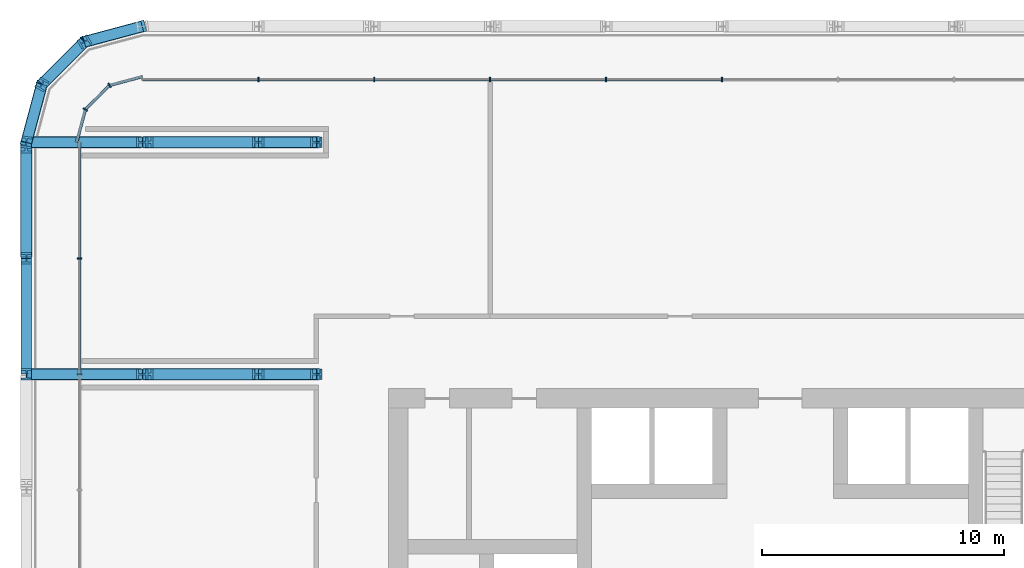
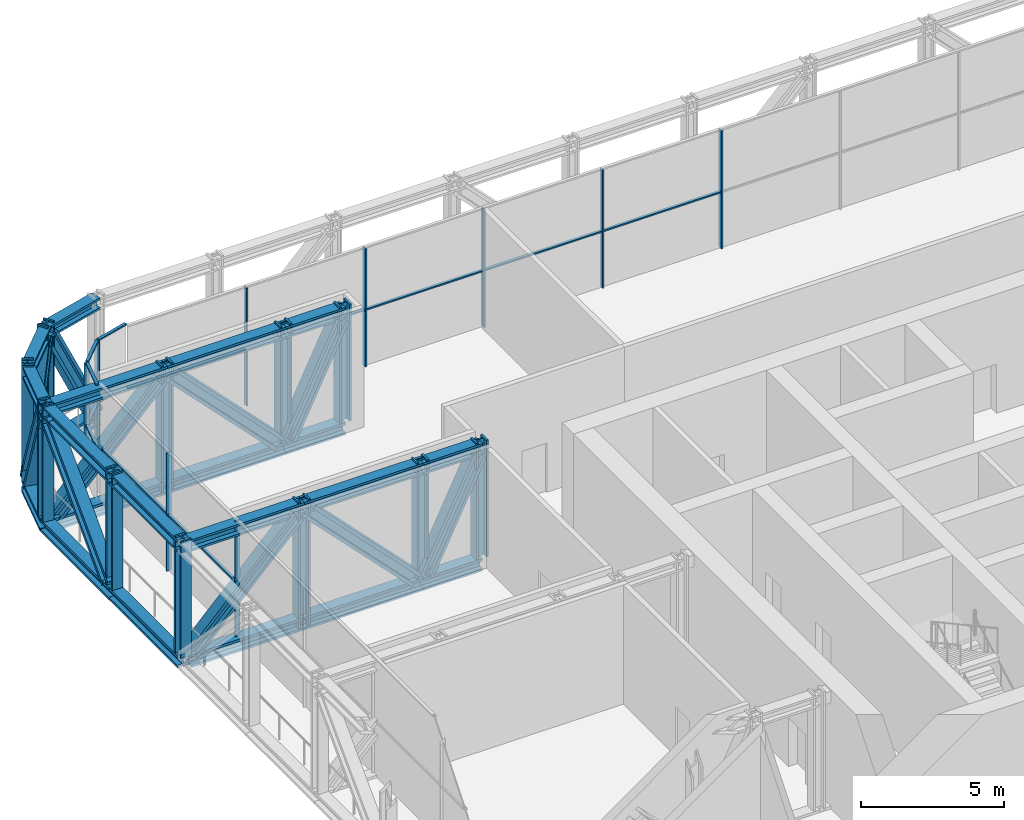
# One storey, part 11 of 25: 65 members, 3 elements without a shape of their own.
"""IFC4 building model written with IfcOpenShell, lengths in metres."""

from ifc_helpers import new_model, si_unit, direction, frame, origin, origin_2d, place, context, subcontext, project, spatial, rectangle, i_section, extrude, material, layer, layer_set, material_profile, profile_set, type_object, element, aggregate, save


model = new_model("IFC4")

# Units and contexts
model_context = context("Model", 3, precision=1e-05, world=origin(), true_north=direction((0.0, 1.0)))
body_context = subcontext(model_context, "Body", "Model", "MODEL_VIEW")
ifc_project = project(units=[si_unit("LENGTHUNIT", "METRE"), si_unit("AREAUNIT", "SQUARE_METRE"), si_unit("VOLUMEUNIT", "CUBIC_METRE"), si_unit("PLANEANGLEUNIT", "RADIAN"), si_unit("MASSUNIT", "GRAM", prefix="KILO")], contexts=[model_context])

# Site, building, storey
site_placement = place(None, origin())
site = spatial("IfcSite", under=ifc_project, at=site_placement, CompositionType="ELEMENT")
building_placement = place(site_placement, origin())
building = spatial("IfcBuilding", under=site, at=building_placement, Name="Madar Terraces", CompositionType="ELEMENT")
storey_placement = place(building_placement, frame((0.0, 0.0, 113.699951171875)))
storey = spatial("IfcBuildingStorey", under=building, at=storey_placement, Name="L29", CompositionType="ELEMENT", Elevation=113.699951171875)

# Members
ifc_material_1 = material(Name="Steel ASTM A913 Grade 65", Category="steel")
ifc_material_profile_1 = material_profile(ifc_material_1, i_section(OverallWidth=0.44189453125, OverallDepth=0.53076171875, WebThickness=0.06591796875, FlangeThickness=0.105712890625, at=origin_2d()), Name="W14x605")
ifc_profile_set_1 = profile_set([ifc_material_profile_1], Name="Steel ASTM A913 Grade 65")
member_type_1 = type_object("IfcMemberType", Name="BC4 W14x605", PredefinedType="CHORD", material=ifc_profile_set_1)
member_1_placement = place(storey_placement, frame((4.800048828125, 52.800048828125, -0.154541015625), z_axis=(-0.965930947833, -0.258799930484, 0.0), x_axis=(0.258799930484, -0.965930947833, 0.0)))
element("IfcMember", 1, at=member_1_placement, inside=storey, type_object=member_type_1, Name="Exoskeleton truss ring bottom chord BC4", PredefinedType="CHORD", context=body_context, shape_type="SweptSolid", body=[
    extrude(i_section(OverallWidth=0.44189453125, OverallDepth=0.53076171875, WebThickness=0.06591796875, FlangeThickness=0.105712890625, at=origin_2d()), origin(), (0.0, 0.0, 1.0), 2.48486328125),
])
for number, where, z_axis, x_axis, name in (
    (2, (2.39990234375, 52.156982421875, -0.154541015625), (-0.70705765096, -0.707155907999, 0.0), (0.707155907999, -0.70705765096, 0.0), "Exoskeleton truss ring bottom chord BC4"),
    (3, (0.64306640625, 50.39990234375, -0.154541015625), (-0.258824494443, -0.965924366126, 0.0), (0.965924366126, -0.258824494443, 0.0), "Exoskeleton truss ring bottom chord BC4"),
):
    element("IfcMember", number, at=place(storey_placement, frame(where, z_axis=z_axis, x_axis=x_axis)), inside=storey, type_object=member_type_1, Name=name, PredefinedType="CHORD", context=body_context, shape_type="SweptSolid", body=[
        extrude(i_section(OverallWidth=0.44189453125, OverallDepth=0.53076171875, WebThickness=0.06591796875, FlangeThickness=0.105712890625, at=origin_2d()), origin(), (0.0, 0.0, 1.0), 2.484619140625),
    ])
for number, where, z_axis, x_axis, name in (
    (4, (0.0, 48.0, -0.154541015625), (0.0, -1.0, 0.0), (1.0, 0.0, 0.0), "Exoskeleton truss ring bottom chord BC4"),
    (5, (0.0, 43.199951171875, -0.154541015625), (0.0, -1.0, 0.0), (1.0, 0.0, 0.0), "Exoskeleton truss ring bottom chord BC4"),
):
    element("IfcMember", number, at=place(storey_placement, frame(where, z_axis=z_axis, x_axis=x_axis)), inside=storey, type_object=member_type_1, Name=name, PredefinedType="CHORD", context=body_context, shape_type="SweptSolid", body=[
        extrude(i_section(OverallWidth=0.44189453125, OverallDepth=0.53076171875, WebThickness=0.06591796875, FlangeThickness=0.105712890625, at=origin_2d()), origin(), (0.0, 0.0, 1.0), 4.800048828125),
    ])
member_2_placement = place(storey_placement, frame((0.220947265625, 38.39990234375, -0.154541015625), z_axis=(1.0, 0.0, 0.0), x_axis=(0.0, 1.0, 0.0)))
element("IfcMember", 6, at=member_2_placement, inside=storey, type_object=member_type_1, Name="Exoskeleton truss cross W38.4 bottom chord BC4", PredefinedType="CHORD", context=body_context, shape_type="SweptSolid", body=[
    extrude(i_section(OverallWidth=0.44189453125, OverallDepth=0.53076171875, WebThickness=0.06591796875, FlangeThickness=0.105712890625, at=origin_2d()), origin(), (0.0, 0.0, 1.0), 4.5791015625),
])
member_3_placement = place(storey_placement, frame((4.800048828125, 38.39990234375, -0.154541015625), z_axis=(1.0, 0.0, 0.0), x_axis=(0.0, 1.0, 0.0)))
element("IfcMember", 7, at=member_3_placement, inside=storey, type_object=member_type_1, Name="Exoskeleton truss cross W38.4 bottom chord BC4", PredefinedType="CHORD", context=body_context, shape_type="SweptSolid", body=[
    extrude(i_section(OverallWidth=0.44189453125, OverallDepth=0.53076171875, WebThickness=0.06591796875, FlangeThickness=0.105712890625, at=origin_2d()), origin(), (0.0, 0.0, 1.0), 4.800048828125),
])
member_4_placement = place(storey_placement, frame((9.60009765625, 38.39990234375, -0.154541015625), z_axis=(1.0, 0.0, 0.0), x_axis=(0.0, 1.0, 0.0)))
element("IfcMember", 8, at=member_4_placement, inside=storey, type_object=member_type_1, Name="Exoskeleton truss cross W38.4 bottom chord BC4", PredefinedType="CHORD", context=body_context, shape_type="SweptSolid", body=[
    extrude(i_section(OverallWidth=0.44189453125, OverallDepth=0.53076171875, WebThickness=0.06591796875, FlangeThickness=0.105712890625, at=origin_2d()), origin(), (0.0, 0.0, 1.0), 2.39990234375),
])
member_5_placement = place(storey_placement, frame((0.220947265625, 48.0, -0.154541015625), z_axis=(1.0, 0.0, 0.0), x_axis=(0.0, 1.0, 0.0)))
element("IfcMember", 9, at=member_5_placement, inside=storey, type_object=member_type_1, Name="Exoskeleton truss cross W48 bottom chord BC4", PredefinedType="CHORD", context=body_context, shape_type="SweptSolid", body=[
    extrude(i_section(OverallWidth=0.44189453125, OverallDepth=0.53076171875, WebThickness=0.06591796875, FlangeThickness=0.105712890625, at=origin_2d()), origin(), (0.0, 0.0, 1.0), 4.5791015625),
])
member_6_placement = place(storey_placement, frame((4.800048828125, 48.0, -0.154541015625), z_axis=(1.0, 0.0, 0.0), x_axis=(0.0, 1.0, 0.0)))
element("IfcMember", 10, at=member_6_placement, inside=storey, type_object=member_type_1, Name="Exoskeleton truss cross W48 bottom chord BC4", PredefinedType="CHORD", context=body_context, shape_type="SweptSolid", body=[
    extrude(i_section(OverallWidth=0.44189453125, OverallDepth=0.53076171875, WebThickness=0.06591796875, FlangeThickness=0.105712890625, at=origin_2d()), origin(), (0.0, 0.0, 1.0), 4.800048828125),
])
member_7_placement = place(storey_placement, frame((9.60009765625, 48.0, -0.154541015625), z_axis=(1.0, 0.0, 0.0), x_axis=(0.0, 1.0, 0.0)))
element("IfcMember", 11, at=member_7_placement, inside=storey, type_object=member_type_1, Name="Exoskeleton truss cross W48 bottom chord BC4", PredefinedType="CHORD", context=body_context, shape_type="SweptSolid", body=[
    extrude(i_section(OverallWidth=0.44189453125, OverallDepth=0.53076171875, WebThickness=0.06591796875, FlangeThickness=0.105712890625, at=origin_2d()), origin(), (0.0, 0.0, 1.0), 2.39990234375),
])

# Curtain wall, members
ifc_material_2 = material(Name="Glass, ceramic frit dark grey, with black aluminium frame", Category="aluminium")
ifc_layer = layer(ifc_material_2, 0.199951171875)
ifc_layer_set = layer_set([ifc_layer], Name="Facade curtain wall, tall glazing")
curtain_wall_type = type_object("IfcCurtainWallType", Name="Facade curtain wall, tall glazing", PredefinedType="NOTDEFINED", material=ifc_layer_set)
curtain_wall_1_placement = place(storey_placement, origin())
curtain_wall_1 = element("IfcCurtainWall", 12, at=curtain_wall_1_placement, inside=storey, type_object=curtain_wall_type, Name="Outer skin curtain wall north bay 1", PredefinedType="NOTDEFINED")
ifc_material_3 = material(Name="Aluminium, black anodised", Category="aluminium")
ifc_material_profile_2 = material_profile(ifc_material_3, rectangle(XDim=0.199951171875, YDim=0.06005859375, at=origin_2d()), Name="Facade mullion 60x200")
ifc_profile_set_2 = profile_set([ifc_material_profile_2], Name="Aluminium, black anodised")
member_type_2 = type_object("IfcMemberType", Name="Facade mullion 60x200", PredefinedType="MULLION", material=ifc_profile_set_2)
member_8_placement = place(storey_placement, frame((28.800048828125, 50.60009765625, 0.0), z_axis=(0.0, 0.0, 1.0), x_axis=(0.0, -1.0, 0.0)))
member_8 = element("IfcMember", 13, at=member_8_placement, type_object=member_type_2, Name="Mullion 5", PredefinedType="MULLION", context=body_context, shape_type="SweptSolid", body=[
    extrude(rectangle(XDim=0.199951171875, YDim=0.06005859375, at=origin_2d()), origin(), (0.0, 0.0, 1.0), 5.0400390625),
])
member_9_placement = place(storey_placement, frame((24.0, 50.60009765625, 0.0), z_axis=(0.0, 0.0, 1.0), x_axis=(0.0, -1.0, 0.0)))
member_9 = element("IfcMember", 14, at=member_9_placement, type_object=member_type_2, Name="Mullion 6", PredefinedType="MULLION", context=body_context, shape_type="SweptSolid", body=[
    extrude(rectangle(XDim=0.199951171875, YDim=0.06005859375, at=origin_2d()), origin(), (0.0, 0.0, 1.0), 5.0400390625),
])
member_10_placement = place(storey_placement, frame((19.199951171875, 50.60009765625, 0.0), z_axis=(0.0, 0.0, 1.0), x_axis=(0.0, -1.0, 0.0)))
member_10 = element("IfcMember", 15, at=member_10_placement, type_object=member_type_2, Name="Mullion 7", PredefinedType="MULLION", context=body_context, shape_type="SweptSolid", body=[
    extrude(rectangle(XDim=0.199951171875, YDim=0.06005859375, at=origin_2d()), origin(), (0.0, 0.0, 1.0), 5.0400390625),
])
member_11_placement = place(storey_placement, frame((14.39990234375, 50.60009765625, 0.0), z_axis=(0.0, 0.0, 1.0), x_axis=(0.0, -1.0, 0.0)))
member_11 = element("IfcMember", 16, at=member_11_placement, type_object=member_type_2, Name="Mullion 8", PredefinedType="MULLION", context=body_context, shape_type="SweptSolid", body=[
    extrude(rectangle(XDim=0.199951171875, YDim=0.06005859375, at=origin_2d()), origin(), (0.0, 0.0, 1.0), 5.0400390625),
])
member_12_placement = place(storey_placement, frame((9.60009765625, 50.60009765625, 0.0), z_axis=(0.0, 0.0, 1.0), x_axis=(0.0, -1.0, 0.0)))
member_12 = element("IfcMember", 17, at=member_12_placement, type_object=member_type_2, Name="Mullion 9", PredefinedType="MULLION", context=body_context, shape_type="SweptSolid", body=[
    extrude(rectangle(XDim=0.199951171875, YDim=0.06005859375, at=origin_2d()), origin(), (0.0, 0.0, 1.0), 5.0400390625),
])

curtain_wall_2_placement = place(storey_placement, origin())
curtain_wall_2 = element("IfcCurtainWall", 18, at=curtain_wall_2_placement, inside=storey, type_object=curtain_wall_type, Name="Outer skin curtain wall west bay 1", PredefinedType="NOTDEFINED")
member_13_placement = place(storey_placement, frame((2.199951171875, 43.199951171875, 0.0), z_axis=(0.0, 0.0, 1.0), x_axis=(1.0, 0.0, 0.0)))
member_13 = element("IfcMember", 19, at=member_13_placement, type_object=member_type_2, Name="Mullion 1", PredefinedType="MULLION", context=body_context, shape_type="SweptSolid", body=[
    extrude(rectangle(XDim=0.199951171875, YDim=0.06005859375, at=origin_2d()), origin(), (0.0, 0.0, 1.0), 5.0400390625),
])
member_14_placement = place(storey_placement, frame((2.199951171875, 38.39990234375, 0.0), z_axis=(0.0, 0.0, 1.0), x_axis=(1.0, 0.0, 0.0)))
member_14 = element("IfcMember", 20, at=member_14_placement, type_object=member_type_2, Name="Mullion 2", PredefinedType="MULLION", context=body_context, shape_type="SweptSolid", body=[
    extrude(rectangle(XDim=0.199951171875, YDim=0.06005859375, at=origin_2d()), origin(), (0.0, 0.0, 1.0), 5.0400390625),
])

curtain_wall_3_placement = place(storey_placement, origin())
curtain_wall_3 = element("IfcCurtainWall", 21, at=curtain_wall_3_placement, inside=storey, type_object=curtain_wall_type, Name="Outer skin curtain wall north-west corner", PredefinedType="NOTDEFINED")
member_15_placement = place(storey_placement, frame((3.43994140625, 50.35546875, 0.0), z_axis=(0.0, 0.0, 1.0), x_axis=(0.500000029202, -0.866025386925, 0.0)))
member_15 = element("IfcMember", 22, at=member_15_placement, type_object=member_type_2, Name="Mullion 1", PredefinedType="MULLION", context=body_context, shape_type="SweptSolid", body=[
    extrude(rectangle(XDim=0.199951171875, YDim=0.06005859375, at=origin_2d()), origin(), (0.0, 0.0, 1.0), 5.0400390625),
])
member_16_placement = place(storey_placement, frame((2.4443359375, 49.360107421875, 0.0), z_axis=(0.0, 0.0, 1.0), x_axis=(0.866025386925, -0.500000029202, 0.0)))
member_16 = element("IfcMember", 23, at=member_16_placement, type_object=member_type_2, Name="Mullion 2", PredefinedType="MULLION", context=body_context, shape_type="SweptSolid", body=[
    extrude(rectangle(XDim=0.199951171875, YDim=0.06005859375, at=origin_2d()), origin(), (0.0, 0.0, 1.0), 5.0400390625),
])

# Member
ifc_material_4 = material(Name="Aluminium, black anodised", Category="aluminium")
ifc_material_profile_3 = material_profile(ifc_material_4, rectangle(XDim=0.1201171875, YDim=0.06005859375, at=origin_2d()), Name="Facade transom 60x120")
ifc_profile_set_3 = profile_set([ifc_material_profile_3], Name="Aluminium, black anodised")
member_type_3 = type_object("IfcMemberType", Name="Facade transom 60x120", PredefinedType="USERDEFINED", material=ifc_profile_set_3)
member_17_placement = place(storey_placement, frame((28.77001953125, 50.60009765625, 2.400146484375), z_axis=(-1.0, 0.0, 0.0), x_axis=(0.0, -1.0, 0.0)))
member_17 = element("IfcMember", 24, at=member_17_placement, type_object=member_type_3, Name="Transom 7", ObjectType="TRANSOM", PredefinedType="USERDEFINED", context=body_context, shape_type="SweptSolid", body=[
    extrude(rectangle(XDim=0.1201171875, YDim=0.06005859375, at=origin_2d()), origin(), (0.0, 0.0, 1.0), 4.739990234375),
])

member_18_placement = place(storey_placement, frame((23.969970703125, 50.60009765625, 2.400146484375), z_axis=(-1.0, 0.0, 0.0), x_axis=(0.0, -1.0, 0.0)))
member_18 = element("IfcMember", 25, at=member_18_placement, type_object=member_type_3, Name="Transom 8", ObjectType="TRANSOM", PredefinedType="USERDEFINED", context=body_context, shape_type="SweptSolid", body=[
    extrude(rectangle(XDim=0.1201171875, YDim=0.06005859375, at=origin_2d()), origin(), (0.0, 0.0, 1.0), 4.739990234375),
])

member_19_placement = place(storey_placement, frame((19.169921875, 50.60009765625, 2.400146484375), z_axis=(-1.0, 0.0, 0.0), x_axis=(0.0, -1.0, 0.0)))
member_19 = element("IfcMember", 26, at=member_19_placement, type_object=member_type_3, Name="Transom 9", ObjectType="TRANSOM", PredefinedType="USERDEFINED", context=body_context, shape_type="SweptSolid", body=[
    extrude(rectangle(XDim=0.1201171875, YDim=0.06005859375, at=origin_2d()), origin(), (0.0, 0.0, 1.0), 4.739990234375),
])

member_20_placement = place(storey_placement, frame((14.3701171875, 50.60009765625, 2.400146484375), z_axis=(-1.0, 0.0, 0.0), x_axis=(0.0, -1.0, 0.0)))
member_20 = element("IfcMember", 27, at=member_20_placement, type_object=member_type_3, Name="Transom 10", ObjectType="TRANSOM", PredefinedType="USERDEFINED", context=body_context, shape_type="SweptSolid", body=[
    extrude(rectangle(XDim=0.1201171875, YDim=0.06005859375, at=origin_2d()), origin(), (0.0, 0.0, 1.0), 4.740234375),
])

member_21_placement = place(storey_placement, frame((9.570068359375, 50.60009765625, 2.400146484375), z_axis=(-1.0, 0.0, 0.0), x_axis=(0.0, -1.0, 0.0)))
member_21 = element("IfcMember", 28, at=member_21_placement, type_object=member_type_3, Name="Transom 11", ObjectType="TRANSOM", PredefinedType="USERDEFINED", context=body_context, shape_type="SweptSolid", body=[
    extrude(rectangle(XDim=0.1201171875, YDim=0.06005859375, at=origin_2d()), origin(), (0.0, 0.0, 1.0), 4.77001953125),
])

aggregate(curtain_wall_1, [member_8, member_9, member_10, member_11, member_12, member_17, member_18, member_19, member_20, member_21])

member_22_placement = place(storey_placement, frame((2.199951171875, 48.0, 2.400146484375), z_axis=(0.0, -1.0, 0.0), x_axis=(1.0, 0.0, 0.0)))
member_22 = element("IfcMember", 29, at=member_22_placement, type_object=member_type_3, Name="Transom 2", ObjectType="TRANSOM", PredefinedType="USERDEFINED", context=body_context, shape_type="SweptSolid", body=[
    extrude(rectangle(XDim=0.1201171875, YDim=0.06005859375, at=origin_2d()), origin(), (0.0, 0.0, 1.0), 4.77001953125),
])

member_23_placement = place(storey_placement, frame((2.199951171875, 43.169921875, 2.400146484375), z_axis=(0.0, -1.0, 0.0), x_axis=(1.0, 0.0, 0.0)))
member_23 = element("IfcMember", 30, at=member_23_placement, type_object=member_type_3, Name="Transom 3", ObjectType="TRANSOM", PredefinedType="USERDEFINED", context=body_context, shape_type="SweptSolid", body=[
    extrude(rectangle(XDim=0.1201171875, YDim=0.06005859375, at=origin_2d()), origin(), (0.0, 0.0, 1.0), 4.739990234375),
])

aggregate(curtain_wall_2, [member_13, member_14, member_22, member_23])

member_24_placement = place(storey_placement, frame((4.800048828125, 50.719970703125, 5.070068359375), z_axis=(-0.965919580711, -0.258842352791, 0.0), x_axis=(0.258842352791, -0.965919580711, 0.0)))
member_24 = element("IfcMember", 31, at=member_24_placement, type_object=member_type_3, Name="Transom 1", ObjectType="TRANSOM", PredefinedType="USERDEFINED", context=body_context, shape_type="SweptSolid", body=[
    extrude(rectangle(XDim=0.1201171875, YDim=0.06005859375, at=origin_2d()), origin(), (0.0, 0.0, 1.0), 1.3779296875),
])

member_25_placement = place(storey_placement, frame((4.800048828125, 50.719970703125, 2.400146484375), z_axis=(-0.965919580711, -0.258842352791, 0.0), x_axis=(0.258842352791, -0.965919580711, 0.0)))
member_25 = element("IfcMember", 32, at=member_25_placement, type_object=member_type_3, Name="Transom 2", ObjectType="TRANSOM", PredefinedType="USERDEFINED", context=body_context, shape_type="SweptSolid", body=[
    extrude(rectangle(XDim=0.1201171875, YDim=0.06005859375, at=origin_2d()), origin(), (0.0, 0.0, 1.0), 1.3779296875),
])

member_26_placement = place(storey_placement, frame((3.418701171875, 50.33447265625, 5.070068359375), z_axis=(-0.707016225155, -0.707197325622, 0.0), x_axis=(0.707197325622, -0.707016225155, 0.0)))
member_26 = element("IfcMember", 33, at=member_26_placement, type_object=member_type_3, Name="Transom 3", ObjectType="TRANSOM", PredefinedType="USERDEFINED", context=body_context, shape_type="SweptSolid", body=[
    extrude(rectangle(XDim=0.1201171875, YDim=0.06005859375, at=origin_2d()), origin(), (0.0, 0.0, 1.0), 1.34814453125),
])

member_27_placement = place(storey_placement, frame((3.418701171875, 50.33447265625, 2.400146484375), z_axis=(-0.707016225155, -0.707197325622, 0.0), x_axis=(0.707197325622, -0.707016225155, 0.0)))
member_27 = element("IfcMember", 34, at=member_27_placement, type_object=member_type_3, Name="Transom 4", ObjectType="TRANSOM", PredefinedType="USERDEFINED", context=body_context, shape_type="SweptSolid", body=[
    extrude(rectangle(XDim=0.1201171875, YDim=0.06005859375, at=origin_2d()), origin(), (0.0, 0.0, 1.0), 1.34814453125),
])

member_28_placement = place(storey_placement, frame((2.436767578125, 49.3310546875, 5.070068359375), z_axis=(-0.258842352791, -0.965919580711, 0.0), x_axis=(0.965919580711, -0.258842352791, 0.0)))
member_28 = element("IfcMember", 35, at=member_28_placement, type_object=member_type_3, Name="Transom 5", ObjectType="TRANSOM", PredefinedType="USERDEFINED", context=body_context, shape_type="SweptSolid", body=[
    extrude(rectangle(XDim=0.1201171875, YDim=0.06005859375, at=origin_2d()), origin(), (0.0, 0.0, 1.0), 1.3779296875),
])

member_29_placement = place(storey_placement, frame((2.436767578125, 49.3310546875, 2.400146484375), z_axis=(-0.258842352791, -0.965919580711, 0.0), x_axis=(0.965919580711, -0.258842352791, 0.0)))
member_29 = element("IfcMember", 36, at=member_29_placement, type_object=member_type_3, Name="Transom 6", ObjectType="TRANSOM", PredefinedType="USERDEFINED", context=body_context, shape_type="SweptSolid", body=[
    extrude(rectangle(XDim=0.1201171875, YDim=0.06005859375, at=origin_2d()), origin(), (0.0, 0.0, 1.0), 1.3779296875),
])

aggregate(curtain_wall_3, [member_15, member_24, member_25, member_16, member_26, member_27, member_28, member_29])

# Members
ifc_material_5 = material(Name="Steel ASTM A913 Grade 65", Category="steel")
ifc_material_profile_4 = material_profile(ifc_material_5, i_section(OverallWidth=0.431884765625, OverallDepth=0.497802734375, WebThickness=0.0556640625, FlangeThickness=0.0888671875, at=origin_2d()), Name="W14x500")
ifc_profile_set_4 = profile_set([ifc_material_profile_4], Name="Steel ASTM A913 Grade 65")
member_type_4 = type_object("IfcMemberType", Name="TC4 W14x500", PredefinedType="CHORD", material=ifc_profile_set_4)
member_30_placement = place(storey_placement, frame((4.800048828125, 52.800048828125, 4.78125), z_axis=(-0.965930947833, -0.258799930484, 0.0), x_axis=(0.258799930484, -0.965930947833, 0.0)))
element("IfcMember", 37, at=member_30_placement, inside=storey, type_object=member_type_4, Name="Exoskeleton truss ring top chord TC4", PredefinedType="CHORD", context=body_context, shape_type="SweptSolid", body=[
    extrude(i_section(OverallWidth=0.431884765625, OverallDepth=0.497802734375, WebThickness=0.0556640625, FlangeThickness=0.0888671875, at=origin_2d()), origin(), (0.0, 0.0, 1.0), 2.48486328125),
])
for number, where, z_axis, x_axis, name in (
    (38, (2.39990234375, 52.156982421875, 4.78125), (-0.70705765096, -0.707155907999, 0.0), (0.707155907999, -0.70705765096, 0.0), "Exoskeleton truss ring top chord TC4"),
    (39, (0.64306640625, 50.39990234375, 4.78125), (-0.258824494443, -0.965924366126, 0.0), (0.965924366126, -0.258824494443, 0.0), "Exoskeleton truss ring top chord TC4"),
):
    element("IfcMember", number, at=place(storey_placement, frame(where, z_axis=z_axis, x_axis=x_axis)), inside=storey, type_object=member_type_4, Name=name, PredefinedType="CHORD", context=body_context, shape_type="SweptSolid", body=[
        extrude(i_section(OverallWidth=0.431884765625, OverallDepth=0.497802734375, WebThickness=0.0556640625, FlangeThickness=0.0888671875, at=origin_2d()), origin(), (0.0, 0.0, 1.0), 2.484619140625),
    ])
for number, where, z_axis, x_axis, name in (
    (40, (0.0, 48.0, 4.78125), (0.0, -1.0, 0.0), (1.0, 0.0, 0.0), "Exoskeleton truss ring top chord TC4"),
    (41, (0.0, 43.199951171875, 4.78125), (0.0, -1.0, 0.0), (1.0, 0.0, 0.0), "Exoskeleton truss ring top chord TC4"),
):
    element("IfcMember", number, at=place(storey_placement, frame(where, z_axis=z_axis, x_axis=x_axis)), inside=storey, type_object=member_type_4, Name=name, PredefinedType="CHORD", context=body_context, shape_type="SweptSolid", body=[
        extrude(i_section(OverallWidth=0.431884765625, OverallDepth=0.497802734375, WebThickness=0.0556640625, FlangeThickness=0.0888671875, at=origin_2d()), origin(), (0.0, 0.0, 1.0), 4.800048828125),
    ])
member_31_placement = place(storey_placement, frame((0.2158203125, 38.39990234375, 4.78125), z_axis=(1.0, 0.0, 0.0), x_axis=(0.0, 1.0, 0.0)))
element("IfcMember", 42, at=member_31_placement, inside=storey, type_object=member_type_4, Name="Exoskeleton truss cross W38.4 top chord TC4", PredefinedType="CHORD", context=body_context, shape_type="SweptSolid", body=[
    extrude(i_section(OverallWidth=0.431884765625, OverallDepth=0.497802734375, WebThickness=0.0556640625, FlangeThickness=0.0888671875, at=origin_2d()), origin(), (0.0, 0.0, 1.0), 4.584228515625),
])
member_32_placement = place(storey_placement, frame((4.800048828125, 38.39990234375, 4.78125), z_axis=(1.0, 0.0, 0.0), x_axis=(0.0, 1.0, 0.0)))
element("IfcMember", 43, at=member_32_placement, inside=storey, type_object=member_type_4, Name="Exoskeleton truss cross W38.4 top chord TC4", PredefinedType="CHORD", context=body_context, shape_type="SweptSolid", body=[
    extrude(i_section(OverallWidth=0.431884765625, OverallDepth=0.497802734375, WebThickness=0.0556640625, FlangeThickness=0.0888671875, at=origin_2d()), origin(), (0.0, 0.0, 1.0), 4.800048828125),
])
member_33_placement = place(storey_placement, frame((9.60009765625, 38.39990234375, 4.78125), z_axis=(1.0, 0.0, 0.0), x_axis=(0.0, 1.0, 0.0)))
element("IfcMember", 44, at=member_33_placement, inside=storey, type_object=member_type_4, Name="Exoskeleton truss cross W38.4 top chord TC4", PredefinedType="CHORD", context=body_context, shape_type="SweptSolid", body=[
    extrude(i_section(OverallWidth=0.431884765625, OverallDepth=0.497802734375, WebThickness=0.0556640625, FlangeThickness=0.0888671875, at=origin_2d()), origin(), (0.0, 0.0, 1.0), 2.39990234375),
])
member_34_placement = place(storey_placement, frame((0.2158203125, 48.0, 4.78125), z_axis=(1.0, 0.0, 0.0), x_axis=(0.0, 1.0, 0.0)))
element("IfcMember", 45, at=member_34_placement, inside=storey, type_object=member_type_4, Name="Exoskeleton truss cross W48 top chord TC4", PredefinedType="CHORD", context=body_context, shape_type="SweptSolid", body=[
    extrude(i_section(OverallWidth=0.431884765625, OverallDepth=0.497802734375, WebThickness=0.0556640625, FlangeThickness=0.0888671875, at=origin_2d()), origin(), (0.0, 0.0, 1.0), 4.584228515625),
])
member_35_placement = place(storey_placement, frame((4.800048828125, 48.0, 4.78125), z_axis=(1.0, 0.0, 0.0), x_axis=(0.0, 1.0, 0.0)))
element("IfcMember", 46, at=member_35_placement, inside=storey, type_object=member_type_4, Name="Exoskeleton truss cross W48 top chord TC4", PredefinedType="CHORD", context=body_context, shape_type="SweptSolid", body=[
    extrude(i_section(OverallWidth=0.431884765625, OverallDepth=0.497802734375, WebThickness=0.0556640625, FlangeThickness=0.0888671875, at=origin_2d()), origin(), (0.0, 0.0, 1.0), 4.800048828125),
])
member_36_placement = place(storey_placement, frame((9.60009765625, 48.0, 4.78125), z_axis=(1.0, 0.0, 0.0), x_axis=(0.0, 1.0, 0.0)))
element("IfcMember", 47, at=member_36_placement, inside=storey, type_object=member_type_4, Name="Exoskeleton truss cross W48 top chord TC4", PredefinedType="CHORD", context=body_context, shape_type="SweptSolid", body=[
    extrude(i_section(OverallWidth=0.431884765625, OverallDepth=0.497802734375, WebThickness=0.0556640625, FlangeThickness=0.0888671875, at=origin_2d()), origin(), (0.0, 0.0, 1.0), 2.39990234375),
])
ifc_material_6 = material(Name="Steel ASTM A913 Grade 65", Category="steel")
ifc_material_profile_5 = material_profile(ifc_material_6, i_section(OverallWidth=0.472412109375, OverallDepth=0.5791015625, WebThickness=0.094970703125, FlangeThickness=0.130126953125, at=origin_2d()), Name="W14x808")
ifc_profile_set_5 = profile_set([ifc_material_profile_5], Name="Steel ASTM A913 Grade 65")
member_type_5 = type_object("IfcMemberType", Name="TD4 W14x808", PredefinedType="BRACE", material=ifc_profile_set_5)
for number, where, z_axis, x_axis, name in (
    (48, (4.6708984375, 52.765380859375, 0.11083984375), (-0.434324296433, -0.116349195467, 0.893210652782), (0.258761672144, -0.965941197501, 0.0), "Exoskeleton truss ring diagonal TD4"),
    (49, (2.311279296875, 52.068359375, 4.5322265625), (-0.317924152367, -0.31797347352, -0.893206081193), (0.707161623299, -0.70705193482, 0.0), "Exoskeleton truss ring diagonal TD4"),
    (50, (0.6083984375, 50.27099609375, 0.11083984375), (-0.116349195467, -0.434324296433, 0.893210652782), (0.965941197501, -0.258761672144, 0.0), "Exoskeleton truss ring diagonal TD4"),
):
    element("IfcMember", number, at=place(storey_placement, frame(where, z_axis=z_axis, x_axis=x_axis)), inside=storey, type_object=member_type_5, Name=name, PredefinedType="BRACE", context=body_context, shape_type="SweptSolid", body=[
        extrude(i_section(OverallWidth=0.472412109375, OverallDepth=0.5791015625, WebThickness=0.094970703125, FlangeThickness=0.130126953125, at=origin_2d()), origin(), (0.0, 0.0, 1.0), 4.949951171875),
    ])
member_37_placement = place(storey_placement, frame((0.0, 47.7578125, 4.5322265625), z_axis=(0.0, -0.697160922414, -0.716914672927), x_axis=(1.0, 0.0, 0.0)))
element("IfcMember", 51, at=member_37_placement, inside=storey, type_object=member_type_5, Name="Exoskeleton truss ring diagonal TD4", PredefinedType="BRACE", context=body_context, shape_type="SweptSolid", body=[
    extrude(i_section(OverallWidth=0.472412109375, OverallDepth=0.5791015625, WebThickness=0.094970703125, FlangeThickness=0.130126953125, at=origin_2d()), origin(), (0.0, 0.0, 1.0), 6.167236328125),
])
for number, where, z_axis, x_axis, name in (
    (52, (0.258056640625, 38.39990234375, 0.11083984375), (0.697181267802, 0.0, 0.716894887571), (0.0, 1.0, 0.0), "Exoskeleton truss cross W38.4 diagonal TD4"),
    (53, (5.0419921875, 38.39990234375, 4.5322265625), (0.697181267802, 0.0, -0.716894887571), (0.0, 1.0, 0.0), "Exoskeleton truss cross W38.4 diagonal TD4"),
):
    element("IfcMember", number, at=place(storey_placement, frame(where, z_axis=z_axis, x_axis=x_axis)), inside=storey, type_object=member_type_5, Name=name, PredefinedType="BRACE", context=body_context, shape_type="SweptSolid", body=[
        extrude(i_section(OverallWidth=0.472412109375, OverallDepth=0.5791015625, WebThickness=0.094970703125, FlangeThickness=0.130126953125, at=origin_2d()), origin(), (0.0, 0.0, 1.0), 6.16748046875),
    ])
member_38_placement = place(storey_placement, frame((9.72900390625, 38.39990234375, 0.11083984375), z_axis=(0.43729423743, 0.0, 0.899318491921), x_axis=(0.0, 1.0, 0.0)))
element("IfcMember", 54, at=member_38_placement, inside=storey, type_object=member_type_5, Name="Exoskeleton truss cross W38.4 diagonal TD4", PredefinedType="BRACE", context=body_context, shape_type="SweptSolid", body=[
    extrude(i_section(OverallWidth=0.472412109375, OverallDepth=0.5791015625, WebThickness=0.094970703125, FlangeThickness=0.130126953125, at=origin_2d()), origin(), (0.0, 0.0, 1.0), 4.916259765625),
])
for number, where, z_axis, x_axis, name in (
    (55, (0.258056640625, 48.0, 0.11083984375), (0.697181267802, 0.0, 0.716894887571), (0.0, 1.0, 0.0), "Exoskeleton truss cross W48 diagonal TD4"),
    (56, (5.0419921875, 48.0, 4.5322265625), (0.697181267802, 0.0, -0.716894887571), (0.0, 1.0, 0.0), "Exoskeleton truss cross W48 diagonal TD4"),
):
    element("IfcMember", number, at=place(storey_placement, frame(where, z_axis=z_axis, x_axis=x_axis)), inside=storey, type_object=member_type_5, Name=name, PredefinedType="BRACE", context=body_context, shape_type="SweptSolid", body=[
        extrude(i_section(OverallWidth=0.472412109375, OverallDepth=0.5791015625, WebThickness=0.094970703125, FlangeThickness=0.130126953125, at=origin_2d()), origin(), (0.0, 0.0, 1.0), 6.16748046875),
    ])
member_39_placement = place(storey_placement, frame((9.72900390625, 48.0, 0.11083984375), z_axis=(0.43729423743, 0.0, 0.899318491921), x_axis=(0.0, 1.0, 0.0)))
element("IfcMember", 57, at=member_39_placement, inside=storey, type_object=member_type_5, Name="Exoskeleton truss cross W48 diagonal TD4", PredefinedType="BRACE", context=body_context, shape_type="SweptSolid", body=[
    extrude(i_section(OverallWidth=0.472412109375, OverallDepth=0.5791015625, WebThickness=0.094970703125, FlangeThickness=0.130126953125, at=origin_2d()), origin(), (0.0, 0.0, 1.0), 4.916259765625),
])
ifc_material_7 = material(Name="Steel ASTM A913 Grade 65", Category="steel")
ifc_material_profile_6 = material_profile(ifc_material_7, i_section(OverallWidth=0.424072265625, OverallDepth=0.47509765625, WebThickness=0.0478515625, FlangeThickness=0.0771484375, at=origin_2d()), Name="W14x426")
ifc_profile_set_6 = profile_set([ifc_material_profile_6], Name="Steel ASTM A913 Grade 65")
member_type_6 = type_object("IfcMemberType", Name="TV4 W14x426", PredefinedType="POST", material=ifc_profile_set_6)
for number, where, z_axis, x_axis, name in (
    (58, (2.39990234375, 52.156982421875, 0.11083984375), (0.0, 0.0, 1.0), (0.499999984885, -0.866025412511, 0.0), "Exoskeleton truss ring post TV4"),
    (59, (0.64306640625, 50.39990234375, 0.11083984375), (0.0, 0.0, 1.0), (0.866025412511, -0.499999984885, 0.0), "Exoskeleton truss ring post TV4"),
    (60, (0.0, 48.0, 0.11083984375), (0.0, 0.0, 1.0), (0.991444863652, -0.130526174916, 0.0), "Exoskeleton truss ring post TV4"),
    (61, (0.0, 43.199951171875, 0.11083984375), (0.0, 0.0, 1.0), (1.0, 0.0, 0.0), "Exoskeleton truss ring post TV4"),
    (62, (0.0, 38.39990234375, 0.11083984375), (0.0, 0.0, 1.0), (1.0, 0.0, 0.0), "Exoskeleton truss ring post TV4"),
):
    element("IfcMember", number, at=place(storey_placement, frame(where, z_axis=z_axis, x_axis=x_axis)), inside=storey, type_object=member_type_6, Name=name, PredefinedType="POST", context=body_context, shape_type="SweptSolid", body=[
        extrude(i_section(OverallWidth=0.424072265625, OverallDepth=0.47509765625, WebThickness=0.0478515625, FlangeThickness=0.0771484375, at=origin_2d()), origin(), (0.0, 0.0, 1.0), 4.9892578125),
    ])
member_40_placement = place(storey_placement, frame((4.800048828125, 38.39990234375, -0.419921875), z_axis=(0.0, 0.0, 1.0), x_axis=(0.0, 1.0, 0.0)))
element("IfcMember", 63, at=member_40_placement, inside=storey, type_object=member_type_6, Name="Exoskeleton truss cross W38.4 post TV4", PredefinedType="POST", context=body_context, shape_type="SweptSolid", body=[
    extrude(i_section(OverallWidth=0.424072265625, OverallDepth=0.47509765625, WebThickness=0.0478515625, FlangeThickness=0.0771484375, at=origin_2d()), origin(), (0.0, 0.0, 1.0), 5.52001953125),
])
for number, where, z_axis, x_axis, name in (
    (64, (9.60009765625, 38.39990234375, 0.11083984375), (0.0, 0.0, 1.0), (0.0, 1.0, 0.0), "Exoskeleton truss cross W38.4 post TV4"),
    (65, (12.0, 38.39990234375, 0.11083984375), (0.0, 0.0, 1.0), (0.0, 1.0, 0.0), "Exoskeleton truss cross W38.4 post TV4"),
):
    element("IfcMember", number, at=place(storey_placement, frame(where, z_axis=z_axis, x_axis=x_axis)), inside=storey, type_object=member_type_6, Name=name, PredefinedType="POST", context=body_context, shape_type="SweptSolid", body=[
        extrude(i_section(OverallWidth=0.424072265625, OverallDepth=0.47509765625, WebThickness=0.0478515625, FlangeThickness=0.0771484375, at=origin_2d()), origin(), (0.0, 0.0, 1.0), 4.9892578125),
    ])
member_41_placement = place(storey_placement, frame((4.800048828125, 48.0, -0.419921875), z_axis=(0.0, 0.0, 1.0), x_axis=(0.0, 1.0, 0.0)))
element("IfcMember", 66, at=member_41_placement, inside=storey, type_object=member_type_6, Name="Exoskeleton truss cross W48 post TV4", PredefinedType="POST", context=body_context, shape_type="SweptSolid", body=[
    extrude(i_section(OverallWidth=0.424072265625, OverallDepth=0.47509765625, WebThickness=0.0478515625, FlangeThickness=0.0771484375, at=origin_2d()), origin(), (0.0, 0.0, 1.0), 5.52001953125),
])
for number, where, z_axis, x_axis, name in (
    (67, (9.60009765625, 48.0, 0.11083984375), (0.0, 0.0, 1.0), (0.0, 1.0, 0.0), "Exoskeleton truss cross W48 post TV4"),
    (68, (12.0, 48.0, 0.11083984375), (0.0, 0.0, 1.0), (0.0, 1.0, 0.0), "Exoskeleton truss cross W48 post TV4"),
):
    element("IfcMember", number, at=place(storey_placement, frame(where, z_axis=z_axis, x_axis=x_axis)), inside=storey, type_object=member_type_6, Name=name, PredefinedType="POST", context=body_context, shape_type="SweptSolid", body=[
        extrude(i_section(OverallWidth=0.424072265625, OverallDepth=0.47509765625, WebThickness=0.0478515625, FlangeThickness=0.0771484375, at=origin_2d()), origin(), (0.0, 0.0, 1.0), 4.9892578125),
    ])

save(model, "model.ifc")
